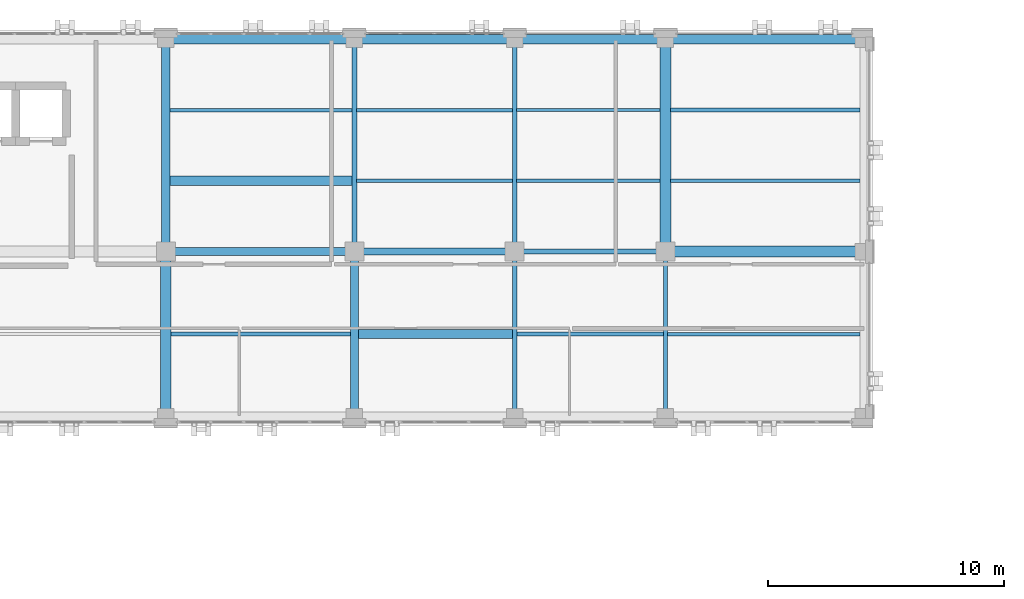
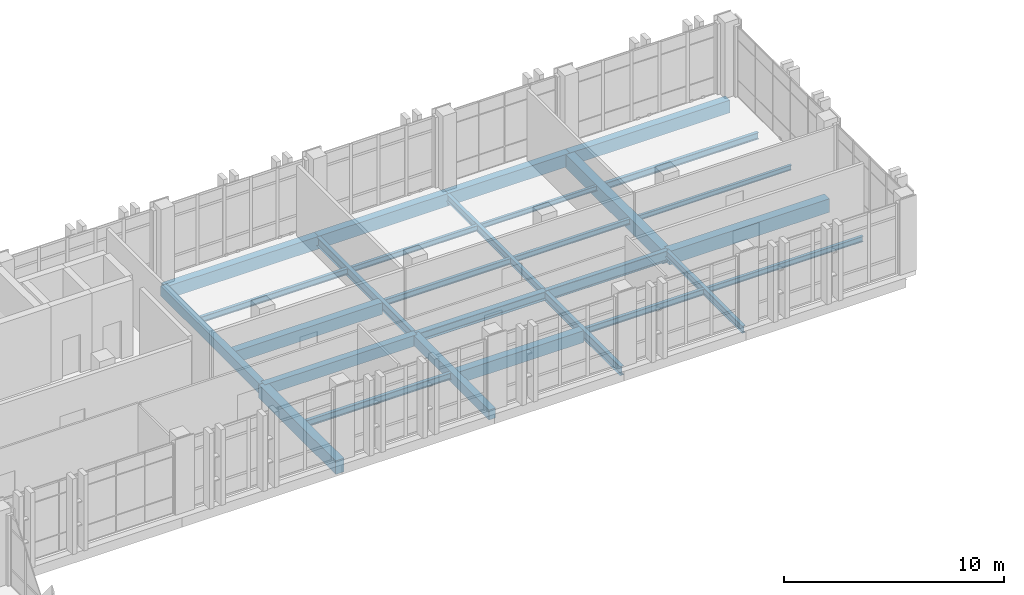
# One storey, part 96 of 193: 28 beams.
"""IFC4 building model written with IfcOpenShell, lengths in metres."""

from ifc_helpers import new_model, si_unit, direction, frame, origin, origin_2d, place, context, subcontext, project, spatial, rectangle, i_section, extrude, material, material_profile, profile_set, type_object, element, save


model = new_model("IFC4")

# Units and contexts
model_context = context("Model", 3, precision=1e-05, world=origin(), true_north=direction((0.0, 1.0)))
body_context = subcontext(model_context, "Body", "Model", "MODEL_VIEW")
ifc_project = project(units=[si_unit("LENGTHUNIT", "METRE"), si_unit("AREAUNIT", "SQUARE_METRE"), si_unit("VOLUMEUNIT", "CUBIC_METRE"), si_unit("PLANEANGLEUNIT", "RADIAN"), si_unit("MASSUNIT", "GRAM", prefix="KILO")], contexts=[model_context])

# Site, building, storey
site_placement = place(None, origin())
site = spatial("IfcSite", under=ifc_project, at=site_placement, CompositionType="ELEMENT")
building_placement = place(site_placement, origin())
building = spatial("IfcBuilding", under=site, at=building_placement, Name="Qalavern Law Courts", CompositionType="ELEMENT")
storey_placement = place(building_placement, frame((0.0, 0.0, 10.199951171875)))
storey = spatial("IfcBuildingStorey", under=building, at=storey_placement, Name="L02", CompositionType="ELEMENT", Elevation=10.199951171875)

# Beams
ifc_material_1 = material(Name="Steel S355", Category="steel")
ifc_material_profile_1 = material_profile(ifc_material_1, i_section(OverallWidth=0.300048828125, OverallDepth=0.489990234375, WebThickness=0.011962890625, FlangeThickness=0.02294921875, FilletRadius=0.027099609375, at=origin_2d()), Name="HEA 500")
ifc_profile_set_1 = profile_set([ifc_material_profile_1], Name="Steel S355")
beam_type_1 = type_object("IfcBeamType", Name="STR-BM-HEA500", PredefinedType="BEAM", material=ifc_profile_set_1)
beam_1_placement = place(storey_placement, frame((44.800048828125, 103.60009765625, -0.534912109375), z_axis=(1.0, 0.0, 0.0), x_axis=(0.0, 1.0, 0.0)))
element("IfcBeam", 1, at=beam_1_placement, inside=storey, type_object=beam_type_1, Name="V5 X-beam 2-6 L02", PredefinedType="BEAM", context=body_context, shape_type="SweptSolid", body=[
    extrude(i_section(OverallWidth=0.300048828125, OverallDepth=0.489990234375, WebThickness=0.011962890625, FlangeThickness=0.02294921875, FilletRadius=0.027099609375, at=origin_2d()), origin(), (0.0, 0.0, 1.0), 6.800048828125),
])
ifc_material_profile_2 = material_profile(ifc_material_1, i_section(OverallWidth=0.179931640625, OverallDepth=0.39990234375, WebThickness=0.008544921875, FlangeThickness=0.013427734375, FilletRadius=0.02099609375, at=origin_2d()), Name="IPE 400")
ifc_profile_set_2 = profile_set([ifc_material_profile_2], Name="Steel S355")
beam_type_2 = type_object("IfcBeamType", Name="STR-BM-IPE400", PredefinedType="BEAM", material=ifc_profile_set_2)
beam_2_placement = place(storey_placement, frame((51.60009765625, 103.60009765625, -0.489990234375), z_axis=(0.0, 1.0, 0.0), x_axis=(-1.0, 0.0, 0.0)))
element("IfcBeam", 2, at=beam_2_placement, inside=storey, type_object=beam_type_2, Name="V5 Y-beam 7-2 L02", PredefinedType="BEAM", context=body_context, shape_type="SweptSolid", body=[
    extrude(i_section(OverallWidth=0.179931640625, OverallDepth=0.39990234375, WebThickness=0.008544921875, FlangeThickness=0.013427734375, FilletRadius=0.02099609375, at=origin_2d()), origin(), (0.0, 0.0, 1.0), 9.0),
])
beam_3_placement = place(storey_placement, frame((58.0, 96.60009765625, -0.489990234375), z_axis=(0.0, 1.0, 0.0), x_axis=(-1.0, 0.0, 0.0)))
element("IfcBeam", 3, at=beam_3_placement, inside=storey, type_object=beam_type_2, Name="V5 Y-beam 8-1 L02", PredefinedType="BEAM", context=body_context, shape_type="SweptSolid", body=[
    extrude(i_section(OverallWidth=0.179931640625, OverallDepth=0.39990234375, WebThickness=0.008544921875, FlangeThickness=0.013427734375, FilletRadius=0.02099609375, at=origin_2d()), origin(), (0.0, 0.0, 1.0), 7.0),
])
ifc_material_profile_3 = material_profile(ifc_material_1, i_section(OverallWidth=0.199951171875, OverallDepth=0.5, WebThickness=0.01025390625, FlangeThickness=0.01611328125, FilletRadius=0.02099609375, at=origin_2d()), Name="IPE 500")
ifc_profile_set_3 = profile_set([ifc_material_profile_3], Name="Steel S355")
beam_type_3 = type_object("IfcBeamType", Name="STR-BM-IPE500", PredefinedType="BEAM", material=ifc_profile_set_3)
beam_4_placement = place(storey_placement, frame((44.800048828125, 103.60009765625, -0.5400390625), z_axis=(0.0, 1.0, 0.0), x_axis=(-1.0, 0.0, 0.0)))
element("IfcBeam", 4, at=beam_4_placement, inside=storey, type_object=beam_type_3, Name="V5 Y-beam 6-2 L02", PredefinedType="BEAM", context=body_context, shape_type="SweptSolid", body=[
    extrude(i_section(OverallWidth=0.199951171875, OverallDepth=0.5, WebThickness=0.01025390625, FlangeThickness=0.01611328125, FilletRadius=0.02099609375, at=origin_2d()), origin(), (0.0, 0.0, 1.0), 9.0),
])
beam_5_placement = place(storey_placement, frame((51.60009765625, 96.60009765625, -0.5400390625), z_axis=(0.0, 1.0, 0.0), x_axis=(-1.0, 0.0, 0.0)))
element("IfcBeam", 5, at=beam_5_placement, inside=storey, type_object=beam_type_3, Name="V5 Y-beam 7-1 L02", PredefinedType="BEAM", context=body_context, shape_type="SweptSolid", body=[
    extrude(i_section(OverallWidth=0.199951171875, OverallDepth=0.5, WebThickness=0.01025390625, FlangeThickness=0.01611328125, FilletRadius=0.02099609375, at=origin_2d()), origin(), (0.0, 0.0, 1.0), 7.0),
])
ifc_material_profile_4 = material_profile(ifc_material_1, i_section(OverallWidth=0.219970703125, OverallDepth=0.60009765625, WebThickness=0.011962890625, FlangeThickness=0.01904296875, FilletRadius=0.02392578125, at=origin_2d()), Name="IPE 600")
ifc_profile_set_4 = profile_set([ifc_material_profile_4], Name="Steel S355")
beam_type_4 = type_object("IfcBeamType", Name="STR-BM-IPE600", PredefinedType="BEAM", material=ifc_profile_set_4)
beam_6_placement = place(storey_placement, frame((51.60009765625, 103.60009765625, -0.58984375), z_axis=(1.0, 0.0, 0.0), x_axis=(0.0, 1.0, 0.0)))
element("IfcBeam", 6, at=beam_6_placement, inside=storey, type_object=beam_type_4, Name="V5 X-beam 2-7 L02", PredefinedType="BEAM", context=body_context, shape_type="SweptSolid", body=[
    extrude(i_section(OverallWidth=0.219970703125, OverallDepth=0.60009765625, WebThickness=0.011962890625, FlangeThickness=0.01904296875, FilletRadius=0.02392578125, at=origin_2d()), origin(), (0.0, 0.0, 1.0), 6.39990234375),
])
ifc_material_2 = material(Name="Concrete C35/45", Category="concrete")
ifc_material_profile_5 = material_profile(ifc_material_2, rectangle(XDim=0.35009765625, YDim=0.550048828125, at=origin_2d()), Name="RC 350x550")
ifc_profile_set_5 = profile_set([ifc_material_profile_5], Name="Concrete C35/45")
beam_type_5 = type_object("IfcBeamType", Name="STR-BM-RC350x550", PredefinedType="BEAM", material=ifc_profile_set_5)
beam_7_placement = place(storey_placement, frame((36.800048828125, 103.60009765625, -0.56494140625), z_axis=(0.0, 1.0, 0.0), x_axis=(-1.0, 0.0, 0.0)))
element("IfcBeam", 7, at=beam_7_placement, inside=storey, type_object=beam_type_5, Name="V5 Y-beam 5-2 L02", PredefinedType="BEAM", context=body_context, shape_type="SweptSolid", body=[
    extrude(rectangle(XDim=0.35009765625, YDim=0.550048828125, at=origin_2d()), origin(), (0.0, 0.0, 1.0), 9.0),
])
beam_8_placement = place(storey_placement, frame((44.800048828125, 96.60009765625, -0.56494140625), z_axis=(0.0, 1.0, 0.0), x_axis=(-1.0, 0.0, 0.0)))
element("IfcBeam", 8, at=beam_8_placement, inside=storey, type_object=beam_type_5, Name="V5 Y-beam 6-1 L02", PredefinedType="BEAM", context=body_context, shape_type="SweptSolid", body=[
    extrude(rectangle(XDim=0.35009765625, YDim=0.550048828125, at=origin_2d()), origin(), (0.0, 0.0, 1.0), 7.0),
])
ifc_material_profile_6 = material_profile(ifc_material_2, rectangle(XDim=0.35009765625, YDim=0.60009765625, at=origin_2d()), Name="RC 350x600")
ifc_profile_set_6 = profile_set([ifc_material_profile_6], Name="Concrete C35/45")
beam_type_6 = type_object("IfcBeamType", Name="STR-BM-RC350x600", PredefinedType="BEAM", material=ifc_profile_set_6)
beam_9_placement = place(storey_placement, frame((36.800048828125, 103.60009765625, -0.58984375), z_axis=(1.0, 0.0, 0.0), x_axis=(0.0, 1.0, 0.0)))
element("IfcBeam", 9, at=beam_9_placement, inside=storey, type_object=beam_type_6, Name="V5 X-beam 2-5 L02", PredefinedType="BEAM", context=body_context, shape_type="SweptSolid", body=[
    extrude(rectangle(XDim=0.35009765625, YDim=0.60009765625, at=origin_2d()), origin(), (0.0, 0.0, 1.0), 8.0),
])
ifc_material_3 = material(Name="Concrete C40/50", Category="concrete")
ifc_material_profile_7 = material_profile(ifc_material_3, rectangle(XDim=0.449951171875, YDim=0.75, at=origin_2d()), Name="RC 450x750")
ifc_profile_set_7 = profile_set([ifc_material_profile_7], Name="Concrete C40/50")
beam_type_7 = type_object("IfcBeamType", Name="STR-BM-RC450x750", PredefinedType="BEAM", material=ifc_profile_set_7)
beam_10_placement = place(storey_placement, frame((58.0, 103.60009765625, -0.6650390625), z_axis=(1.0, 0.0, 0.0), x_axis=(0.0, 1.0, 0.0)))
element("IfcBeam", 10, at=beam_10_placement, inside=storey, type_object=beam_type_7, Name="V5 X-beam 2-8 L02", PredefinedType="BEAM", context=body_context, shape_type="SweptSolid", body=[
    extrude(rectangle(XDim=0.449951171875, YDim=0.75, at=origin_2d()), origin(), (0.0, 0.0, 1.0), 8.39990234375),
])
beam_11_placement = place(storey_placement, frame((36.800048828125, 96.60009765625, -0.6650390625), z_axis=(0.0, 1.0, 0.0), x_axis=(-1.0, 0.0, 0.0)))
element("IfcBeam", 11, at=beam_11_placement, inside=storey, type_object=beam_type_7, Name="V5 Y-beam 5-1 L02", PredefinedType="BEAM", context=body_context, shape_type="SweptSolid", body=[
    extrude(rectangle(XDim=0.449951171875, YDim=0.75, at=origin_2d()), origin(), (0.0, 0.0, 1.0), 7.0),
])
beam_12_placement = place(storey_placement, frame((58.0, 103.60009765625, -0.6650390625), z_axis=(0.0, 1.0, 0.0), x_axis=(-1.0, 0.0, 0.0)))
element("IfcBeam", 12, at=beam_12_placement, inside=storey, type_object=beam_type_7, Name="V5 Y-beam 8-2 L02", PredefinedType="BEAM", context=body_context, shape_type="SweptSolid", body=[
    extrude(rectangle(XDim=0.449951171875, YDim=0.75, at=origin_2d()), origin(), (0.0, 0.0, 1.0), 9.0),
])
ifc_material_profile_8 = material_profile(ifc_material_1, i_section(OverallWidth=0.135009765625, OverallDepth=0.27001953125, WebThickness=0.006591796875, FlangeThickness=0.01025390625, FilletRadius=0.014892578125, at=origin_2d()), Name="IPE 270")
ifc_profile_set_8 = profile_set([ifc_material_profile_8], Name="Steel S355")
beam_type_8 = type_object("IfcBeamType", Name="STR-JST-IPE270", PredefinedType="JOIST", material=ifc_profile_set_8)
beam_13_placement = place(storey_placement, frame((51.68798828125, 109.60009765625, -0.425048828125), z_axis=(1.0, 0.0, 0.0), x_axis=(0.0, 1.0, 0.0)))
element("IfcBeam", 13, at=beam_13_placement, inside=storey, type_object=beam_type_8, Name="V5 secondary joist 7.2.2 L02", PredefinedType="JOIST", context=body_context, shape_type="SweptSolid", body=[
    extrude(i_section(OverallWidth=0.135009765625, OverallDepth=0.27001953125, WebThickness=0.006591796875, FlangeThickness=0.01025390625, FilletRadius=0.014892578125, at=origin_2d()), origin(), (0.0, 0.0, 1.0), 6.089111328125),
])
beam_14_placement = place(storey_placement, frame((58.222900390625, 106.60009765625, -0.425048828125), z_axis=(1.0, 0.0, 0.0), x_axis=(0.0, 1.0, 0.0)))
element("IfcBeam", 14, at=beam_14_placement, inside=storey, type_object=beam_type_8, Name="V5 secondary joist 8.2.1 L02", PredefinedType="JOIST", context=body_context, shape_type="SweptSolid", body=[
    extrude(i_section(OverallWidth=0.135009765625, OverallDepth=0.27001953125, WebThickness=0.006591796875, FlangeThickness=0.01025390625, FilletRadius=0.014892578125, at=origin_2d()), origin(), (0.0, 0.0, 1.0), 8.029052734375),
])
ifc_material_profile_9 = material_profile(ifc_material_1, i_section(OverallWidth=0.14990234375, OverallDepth=0.300048828125, WebThickness=0.007080078125, FlangeThickness=0.0107421875, FilletRadius=0.014892578125, at=origin_2d()), Name="IPE 300")
ifc_profile_set_9 = profile_set([ifc_material_profile_9], Name="Steel S355")
beam_type_9 = type_object("IfcBeamType", Name="STR-JST-IPE300", PredefinedType="JOIST", material=ifc_profile_set_9)
beam_15_placement = place(storey_placement, frame((44.89794921875, 109.60009765625, -0.43994140625), z_axis=(1.0, 0.0, 0.0), x_axis=(0.0, 1.0, 0.0)))
element("IfcBeam", 15, at=beam_15_placement, inside=storey, type_object=beam_type_9, Name="V5 secondary joist 6.2.2 L02", PredefinedType="JOIST", context=body_context, shape_type="SweptSolid", body=[
    extrude(i_section(OverallWidth=0.14990234375, OverallDepth=0.300048828125, WebThickness=0.007080078125, FlangeThickness=0.0107421875, FilletRadius=0.014892578125, at=origin_2d()), origin(), (0.0, 0.0, 1.0), 6.614013671875),
])
beam_16_placement = place(storey_placement, frame((51.68798828125, 106.60009765625, -0.43994140625), z_axis=(1.0, 0.0, 0.0), x_axis=(0.0, 1.0, 0.0)))
element("IfcBeam", 16, at=beam_16_placement, inside=storey, type_object=beam_type_9, Name="V5 secondary joist 7.2.1 L02", PredefinedType="JOIST", context=body_context, shape_type="SweptSolid", body=[
    extrude(i_section(OverallWidth=0.14990234375, OverallDepth=0.300048828125, WebThickness=0.007080078125, FlangeThickness=0.0107421875, FilletRadius=0.014892578125, at=origin_2d()), origin(), (0.0, 0.0, 1.0), 6.089111328125),
])
beam_17_placement = place(storey_placement, frame((58.087890625, 100.10009765625, -0.43994140625), z_axis=(1.0, 0.0, 0.0), x_axis=(0.0, 1.0, 0.0)))
element("IfcBeam", 17, at=beam_17_placement, inside=storey, type_object=beam_type_9, Name="V5 secondary joist 8.1.1 L02", PredefinedType="JOIST", context=body_context, shape_type="SweptSolid", body=[
    extrude(i_section(OverallWidth=0.14990234375, OverallDepth=0.300048828125, WebThickness=0.007080078125, FlangeThickness=0.0107421875, FilletRadius=0.014892578125, at=origin_2d()), origin(), (0.0, 0.0, 1.0), 8.1640625),
])
ifc_material_profile_10 = material_profile(ifc_material_1, i_section(OverallWidth=0.159912109375, OverallDepth=0.330078125, WebThickness=0.007568359375, FlangeThickness=0.011474609375, FilletRadius=0.01806640625, at=origin_2d()), Name="IPE 330")
ifc_profile_set_10 = profile_set([ifc_material_profile_10], Name="Steel S355")
beam_type_10 = type_object("IfcBeamType", Name="STR-JST-IPE330", PredefinedType="JOIST", material=ifc_profile_set_10)
beam_18_placement = place(storey_placement, frame((36.972900390625, 109.60009765625, -0.454833984375), z_axis=(1.0, 0.0, 0.0), x_axis=(0.0, 1.0, 0.0)))
element("IfcBeam", 18, at=beam_18_placement, inside=storey, type_object=beam_type_10, Name="V5 secondary joist 5.2.2 L02", PredefinedType="JOIST", context=body_context, shape_type="SweptSolid", body=[
    extrude(i_section(OverallWidth=0.159912109375, OverallDepth=0.330078125, WebThickness=0.007568359375, FlangeThickness=0.011474609375, FilletRadius=0.01806640625, at=origin_2d()), origin(), (0.0, 0.0, 1.0), 7.72900390625),
])
beam_19_placement = place(storey_placement, frame((44.89794921875, 106.60009765625, -0.454833984375), z_axis=(1.0, 0.0, 0.0), x_axis=(0.0, 1.0, 0.0)))
element("IfcBeam", 19, at=beam_19_placement, inside=storey, type_object=beam_type_10, Name="V5 secondary joist 6.2.1 L02", PredefinedType="JOIST", context=body_context, shape_type="SweptSolid", body=[
    extrude(i_section(OverallWidth=0.159912109375, OverallDepth=0.330078125, WebThickness=0.007568359375, FlangeThickness=0.011474609375, FilletRadius=0.01806640625, at=origin_2d()), origin(), (0.0, 0.0, 1.0), 6.614013671875),
])
beam_20_placement = place(storey_placement, frame((51.697998046875, 100.10009765625, -0.454833984375), z_axis=(1.0, 0.0, 0.0), x_axis=(0.0, 1.0, 0.0)))
element("IfcBeam", 20, at=beam_20_placement, inside=storey, type_object=beam_type_10, Name="V5 secondary joist 7.1.1 L02", PredefinedType="JOIST", context=body_context, shape_type="SweptSolid", body=[
    extrude(i_section(OverallWidth=0.159912109375, OverallDepth=0.330078125, WebThickness=0.007568359375, FlangeThickness=0.011474609375, FilletRadius=0.01806640625, at=origin_2d()), origin(), (0.0, 0.0, 1.0), 6.214111328125),
])
ifc_material_profile_11 = material_profile(ifc_material_1, i_section(OverallWidth=0.169921875, OverallDepth=0.360107421875, WebThickness=0.008056640625, FlangeThickness=0.0126953125, FilletRadius=0.01806640625, at=origin_2d()), Name="IPE 360")
ifc_profile_set_11 = profile_set([ifc_material_profile_11], Name="Steel S355")
beam_type_11 = type_object("IfcBeamType", Name="STR-JST-IPE360", PredefinedType="JOIST", material=ifc_profile_set_11)
beam_21_placement = place(storey_placement, frame((37.02294921875, 100.10009765625, -0.469970703125), z_axis=(1.0, 0.0, 0.0), x_axis=(0.0, 1.0, 0.0)))
element("IfcBeam", 21, at=beam_21_placement, inside=storey, type_object=beam_type_11, Name="V5 secondary joist 5.1.1 L02", PredefinedType="JOIST", context=body_context, shape_type="SweptSolid", body=[
    extrude(i_section(OverallWidth=0.169921875, OverallDepth=0.360107421875, WebThickness=0.008056640625, FlangeThickness=0.0126953125, FilletRadius=0.01806640625, at=origin_2d()), origin(), (0.0, 0.0, 1.0), 7.60400390625),
])
beam_22_placement = place(storey_placement, frame((58.222900390625, 109.60009765625, -0.469970703125), z_axis=(1.0, 0.0, 0.0), x_axis=(0.0, 1.0, 0.0)))
element("IfcBeam", 22, at=beam_22_placement, inside=storey, type_object=beam_type_11, Name="V5 secondary joist 8.2.2 L02", PredefinedType="JOIST", context=body_context, shape_type="SweptSolid", body=[
    extrude(i_section(OverallWidth=0.169921875, OverallDepth=0.360107421875, WebThickness=0.008056640625, FlangeThickness=0.0126953125, FilletRadius=0.01806640625, at=origin_2d()), origin(), (0.0, 0.0, 1.0), 8.029052734375),
])
ifc_material_profile_12 = material_profile(ifc_material_2, rectangle(XDim=0.39990234375, YDim=0.64990234375, at=origin_2d()), Name="RC 400x650")
ifc_profile_set_12 = profile_set([ifc_material_profile_12], Name="Concrete C35/45")
beam_type_12 = type_object("IfcBeamType", Name="STR-JST-RC400x650", PredefinedType="JOIST", material=ifc_profile_set_12)
beam_23_placement = place(storey_placement, frame((36.972900390625, 106.60009765625, -0.614990234375), z_axis=(1.0, 0.0, 0.0), x_axis=(0.0, 1.0, 0.0)))
element("IfcBeam", 23, at=beam_23_placement, inside=storey, type_object=beam_type_12, Name="V5 secondary joist 5.2.1 L02", PredefinedType="JOIST", context=body_context, shape_type="SweptSolid", body=[
    extrude(rectangle(XDim=0.39990234375, YDim=0.64990234375, at=origin_2d()), origin(), (0.0, 0.0, 1.0), 7.72900390625),
])
beam_24_placement = place(storey_placement, frame((44.972900390625, 100.10009765625, -0.614990234375), z_axis=(1.0, 0.0, 0.0), x_axis=(0.0, 1.0, 0.0)))
element("IfcBeam", 24, at=beam_24_placement, inside=storey, type_object=beam_type_12, Name="V5 secondary joist 6.1.1 L02", PredefinedType="JOIST", context=body_context, shape_type="SweptSolid", body=[
    extrude(rectangle(XDim=0.39990234375, YDim=0.64990234375, at=origin_2d()), origin(), (0.0, 0.0, 1.0), 6.529052734375),
])
ifc_material_profile_13 = material_profile(ifc_material_3, rectangle(XDim=0.39990234375, YDim=0.699951171875, at=origin_2d()), Name="RC 400x700")
ifc_profile_set_13 = profile_set([ifc_material_profile_13], Name="Concrete C40/50")
beam_type_13 = type_object("IfcBeamType", Name="STR-SP-RC400x700", PredefinedType="SPANDREL", material=ifc_profile_set_13)
beam_25_placement = place(storey_placement, frame((36.800048828125, 112.60009765625, -0.639892578125), z_axis=(1.0, 0.0, 0.0), x_axis=(0.0, 1.0, 0.0)))
element("IfcBeam", 25, at=beam_25_placement, inside=storey, type_object=beam_type_13, Name="V5 X-beam 3-5 L02", PredefinedType="SPANDREL", context=body_context, shape_type="SweptSolid", body=[
    extrude(rectangle(XDim=0.39990234375, YDim=0.699951171875, at=origin_2d()), origin(), (0.0, 0.0, 1.0), 8.0),
])
beam_26_placement = place(storey_placement, frame((44.800048828125, 112.60009765625, -0.639892578125), z_axis=(1.0, 0.0, 0.0), x_axis=(0.0, 1.0, 0.0)))
element("IfcBeam", 26, at=beam_26_placement, inside=storey, type_object=beam_type_13, Name="V5 X-beam 3-6 L02", PredefinedType="SPANDREL", context=body_context, shape_type="SweptSolid", body=[
    extrude(rectangle(XDim=0.39990234375, YDim=0.699951171875, at=origin_2d()), origin(), (0.0, 0.0, 1.0), 6.800048828125),
])
beam_27_placement = place(storey_placement, frame((51.60009765625, 112.60009765625, -0.639892578125), z_axis=(1.0, 0.0, 0.0), x_axis=(0.0, 1.0, 0.0)))
element("IfcBeam", 27, at=beam_27_placement, inside=storey, type_object=beam_type_13, Name="V5 X-beam 3-7 L02", PredefinedType="SPANDREL", context=body_context, shape_type="SweptSolid", body=[
    extrude(rectangle(XDim=0.39990234375, YDim=0.699951171875, at=origin_2d()), origin(), (0.0, 0.0, 1.0), 6.39990234375),
])
beam_28_placement = place(storey_placement, frame((58.0, 112.60009765625, -0.639892578125), z_axis=(1.0, 0.0, 0.0), x_axis=(0.0, 1.0, 0.0)))
element("IfcBeam", 28, at=beam_28_placement, inside=storey, type_object=beam_type_13, Name="V5 X-beam 3-8 L02", PredefinedType="SPANDREL", context=body_context, shape_type="SweptSolid", body=[
    extrude(rectangle(XDim=0.39990234375, YDim=0.699951171875, at=origin_2d()), origin(), (0.0, 0.0, 1.0), 8.39990234375),
])

save(model, "model.ifc")
